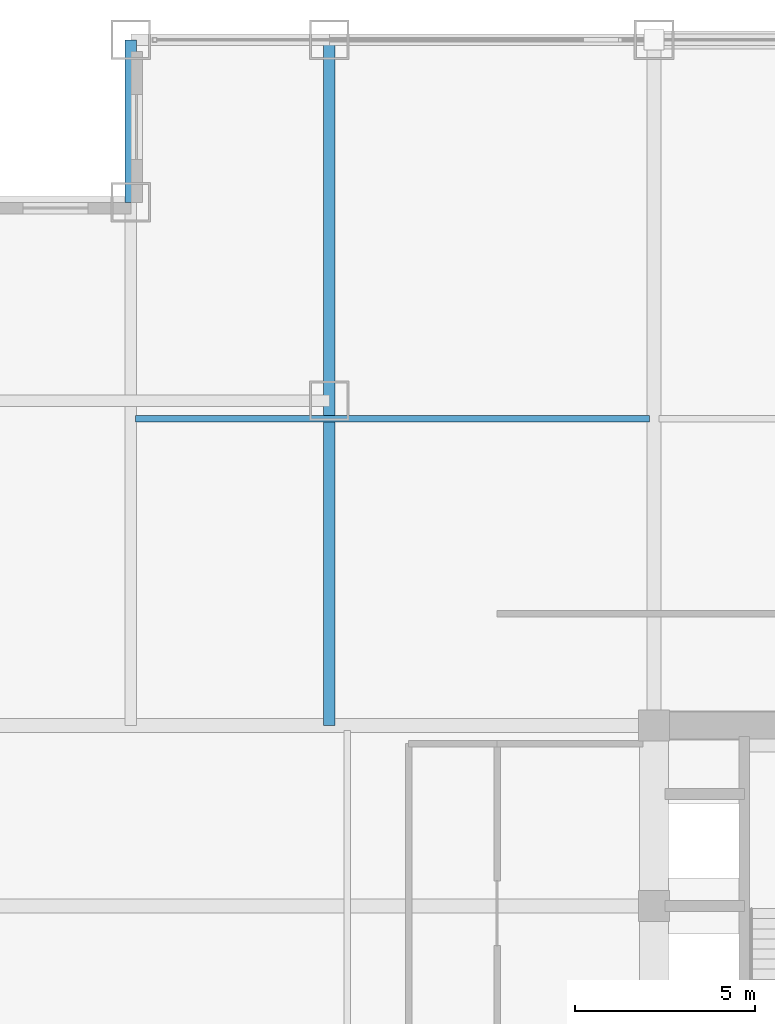
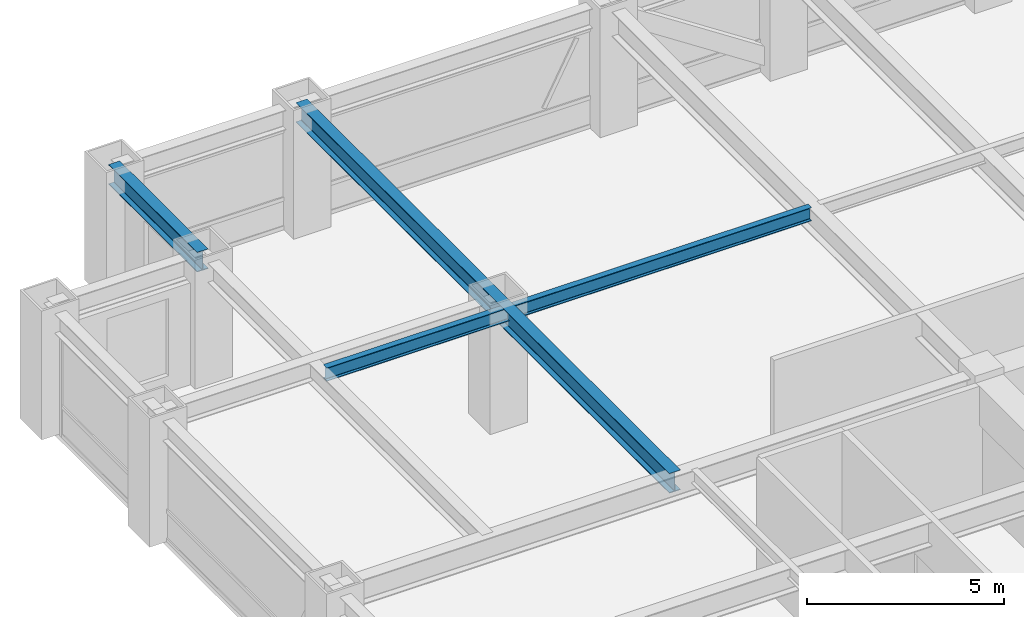
# One storey, part 13 of 24: 3 beams.
"""IFC4 building model written with IfcOpenShell, lengths in metres."""

from ifc_helpers import new_model, si_unit, direction, frame, origin, origin_2d, place, context, subcontext, project, spatial, i_section, extrude, source, transform, mapped, material, material_profile, profile_set, type_object, element, save


model = new_model("IFC4")

# Units and contexts
model_context = context("Model", 3, precision=1e-05, world=origin(), true_north=direction((0.0, 1.0)))
body_context = subcontext(model_context, "Body", "Model", "MODEL_VIEW")
ifc_project = project(units=[si_unit("LENGTHUNIT", "METRE"), si_unit("AREAUNIT", "SQUARE_METRE"), si_unit("VOLUMEUNIT", "CUBIC_METRE"), si_unit("PLANEANGLEUNIT", "RADIAN"), si_unit("MASSUNIT", "GRAM", prefix="KILO")], contexts=[model_context])

# Site, building, storey
site_placement = place(None, origin())
site = spatial("IfcSite", under=ifc_project, at=site_placement, CompositionType="ELEMENT")
building_placement = place(site_placement, origin())
building = spatial("IfcBuilding", under=site, at=building_placement, Name="Khorayat Bourse Tower", CompositionType="ELEMENT")
storey_placement = place(building_placement, frame((0.0, 0.0, 163.10009765625)))
storey = spatial("IfcBuildingStorey", under=building, at=storey_placement, Name="L37", CompositionType="ELEMENT", Elevation=163.10009765625)

# Beams
ifc_material = material(Name="Steel ASTM A992 Grade 50", Category="steel")
ifc_material_profile_1 = material_profile(ifc_material, i_section(OverallWidth=0.324951171875, OverallDepth=0.615966796875, WebThickness=0.013916015625, FlangeThickness=0.021484375, FilletRadius=0.01611328125, at=origin_2d()), Name="W610X174")
ifc_profile_set_1 = profile_set([ifc_material_profile_1], Name="Steel ASTM A992 Grade 50")
beam_type_1 = type_object("IfcBeamType", Name="BM-GIRD-610", PredefinedType="BEAM", material=ifc_profile_set_1)
shared_shape_1 = source(origin(), body_context, "Body", "SweptSolid", [
    extrude(i_section(OverallWidth=0.324951171875, OverallDepth=0.615966796875, WebThickness=0.013916015625, FlangeThickness=0.021484375, FilletRadius=0.01611328125, at=origin_2d()), origin(), (0.0, 0.0, 1.0), 19.0),
])
beam_1_placement = place(storey_placement, frame((-20.0, 11.0, 3.471923828125), z_axis=(0.0, 1.0, 0.0), x_axis=(-1.0, 0.0, 0.0)))
element("IfcBeam", 1, at=beam_1_placement, inside=storey, type_object=beam_type_1, Name="L37 BM-GIRD-610 BM-L37-CNRY-085", PredefinedType="BEAM", context=body_context, shape_type="MappedRepresentation", body=[
    mapped(shared_shape_1, transform((0.0, 0.0, 0.0), scale=1.0)),
])
ifc_material_profile_2 = material_profile(ifc_material, i_section(OverallWidth=0.180908203125, OverallDepth=0.4169921875, WebThickness=0.010986328125, FlangeThickness=0.018310546875, FilletRadius=0.011962890625, at=origin_2d()), Name="W410X85")
ifc_profile_set_2 = profile_set([ifc_material_profile_2], Name="Steel ASTM A992 Grade 50")
beam_type_2 = type_object("IfcBeamType", Name="BM-JOIST-410", PredefinedType="JOIST", material=ifc_profile_set_2)
shared_shape_2 = source(origin(), body_context, "Body", "SweptSolid", [
    extrude(i_section(OverallWidth=0.180908203125, OverallDepth=0.4169921875, WebThickness=0.010986328125, FlangeThickness=0.018310546875, FilletRadius=0.011962890625, at=origin_2d()), origin(), (0.0, 0.0, 1.0), 14.240234375),
])
beam_2_placement = place(storey_placement, frame((-25.3701171875, 19.5, 3.5712890625), z_axis=(1.0, 0.0, 0.0), x_axis=(0.0, 1.0, 0.0)))
element("IfcBeam", 2, at=beam_2_placement, inside=storey, type_object=beam_type_2, Name="L37 BM-JOIST-410 BM-L37-JSTX-099", PredefinedType="JOIST", context=body_context, shape_type="MappedRepresentation", body=[
    mapped(shared_shape_2, transform((0.0, 0.0, 0.0), scale=1.0)),
])
ifc_material_profile_3 = material_profile(ifc_material, i_section(OverallWidth=0.324951171875, OverallDepth=0.615966796875, WebThickness=0.013916015625, FlangeThickness=0.021484375, FilletRadius=0.01611328125, at=origin_2d()), Name="W610X174")
ifc_profile_set_3 = profile_set([ifc_material_profile_3], Name="Steel ASTM A992 Grade 50")
beam_type_3 = type_object("IfcBeamType", Name="BM-SPAN-610", PredefinedType="SPANDREL", material=ifc_profile_set_3)
shared_shape_3 = source(origin(), body_context, "Body", "SweptSolid", [
    extrude(i_section(OverallWidth=0.324951171875, OverallDepth=0.615966796875, WebThickness=0.013916015625, FlangeThickness=0.021484375, FilletRadius=0.01611328125, at=origin_2d()), origin(), (0.0, 0.0, 1.0), 4.5),
])
beam_3_placement = place(storey_placement, frame((-25.5, 25.5, 3.471923828125), z_axis=(0.0, 1.0, 0.0), x_axis=(-1.0, 0.0, 0.0)))
element("IfcBeam", 3, at=beam_3_placement, inside=storey, type_object=beam_type_3, Name="L37 BM-SPAN-610 BM-L37-SPN-052", PredefinedType="SPANDREL", context=body_context, shape_type="MappedRepresentation", body=[
    mapped(shared_shape_3, transform((0.0, 0.0, 0.0), scale=1.0)),
])

save(model, "model.ifc")
